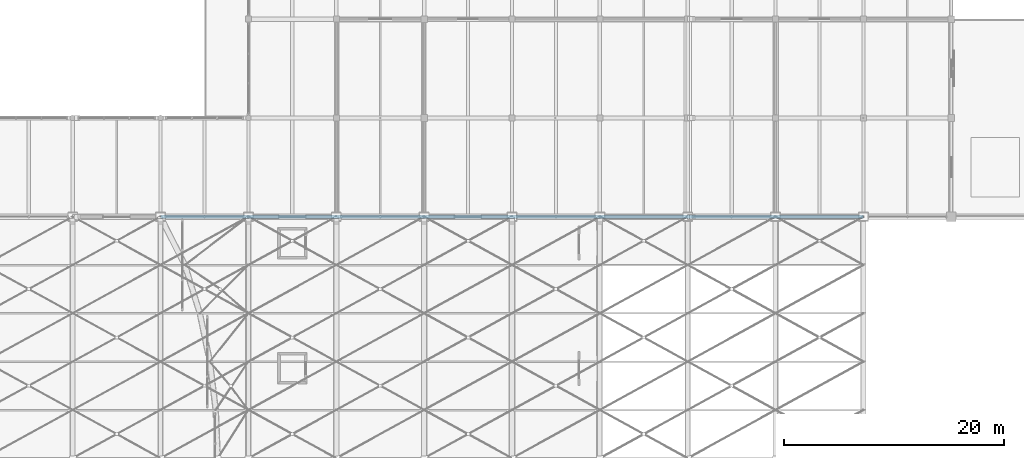
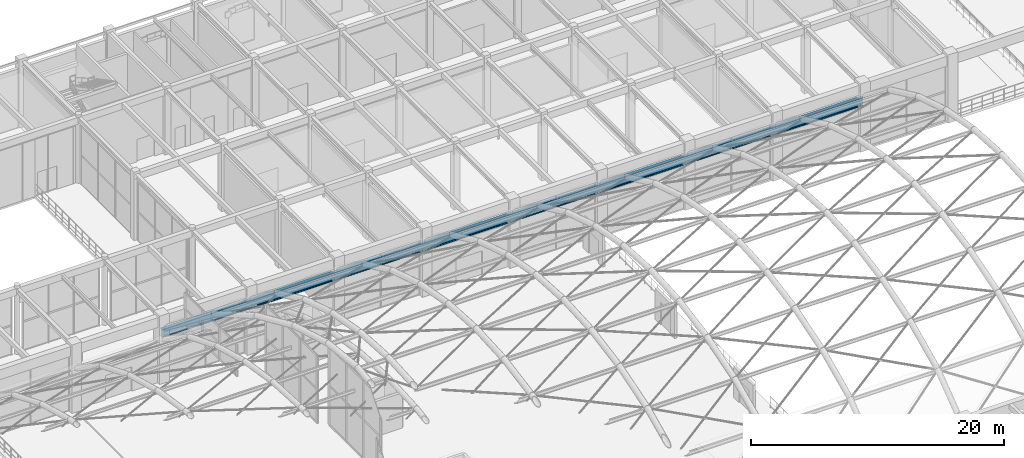
# One storey, part 85 of 163: 1 beam.
"""IFC4 building model written with IfcOpenShell, lengths in metres."""

from ifc_helpers import new_model, si_unit, direction, frame, origin, origin_2d, place, context, subcontext, project, spatial, i_section, extrude, material, material_profile, profile_set, type_object, element, save


model = new_model("IFC4")

# Units and contexts
model_context = context("Model", 3, precision=1e-05, world=origin(), true_north=direction((0.0, 1.0)))
body_context = subcontext(model_context, "Body", "Model", "MODEL_VIEW")
ifc_project = project(units=[si_unit("LENGTHUNIT", "METRE"), si_unit("AREAUNIT", "SQUARE_METRE"), si_unit("VOLUMEUNIT", "CUBIC_METRE"), si_unit("PLANEANGLEUNIT", "RADIAN"), si_unit("MASSUNIT", "GRAM", prefix="KILO")], contexts=[model_context])

# Site, building, storey
site_placement = place(None, origin())
site = spatial("IfcSite", under=ifc_project, at=site_placement, CompositionType="ELEMENT")
building_placement = place(site_placement, origin())
building = spatial("IfcBuilding", under=site, at=building_placement, Name="Varnabhumi Central Station", CompositionType="ELEMENT")
storey_placement = place(building_placement, frame((0.0, 0.0, 9.60009765625)))
storey = spatial("IfcBuildingStorey", under=building, at=storey_placement, Name="L02", CompositionType="ELEMENT", Elevation=9.60009765625)

# Beam
ifc_material = material(Name="Structural steel E450", Category="steel")
ifc_material_profile = material_profile(ifc_material, i_section(OverallWidth=0.300048828125, OverallDepth=0.800048828125, WebThickness=0.017578125, FlangeThickness=0.032958984375, FilletRadius=0.030029296875, at=origin_2d()), Name="Structural steel E450", Category="steel")
ifc_profile_set = profile_set([ifc_material_profile], Name="Structural steel E450")
beam_type = type_object("IfcBeamType", Name="BM-CONC-WPB800", PredefinedType="BEAM", material=ifc_profile_set)
beam_placement = place(storey_placement, frame((72.0, 80.0, 4.559814453125), z_axis=(1.0, 0.0, 0.0), x_axis=(0.0, 1.0, 0.0)))
element("IfcBeam", 1, at=beam_placement, inside=storey, type_object=beam_type, Name="Departure Concourse Vault Compression Ring Beam N", PredefinedType="BEAM", context=body_context, shape_type="SweptSolid", body=[
    extrude(i_section(OverallWidth=0.300048828125, OverallDepth=0.800048828125, WebThickness=0.017578125, FlangeThickness=0.032958984375, FilletRadius=0.030029296875, at=origin_2d()), origin(), (0.0, 0.0, 1.0), 64.0),
])

save(model, "model.ifc")
